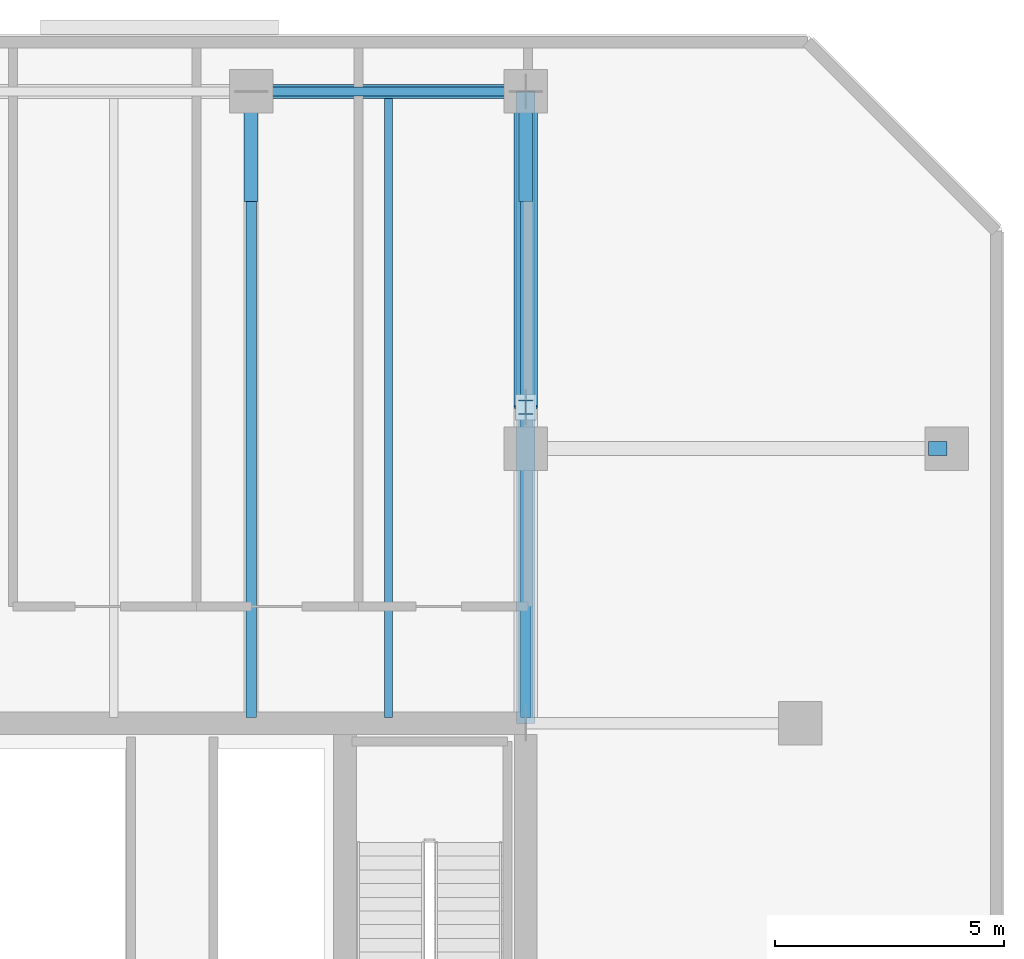
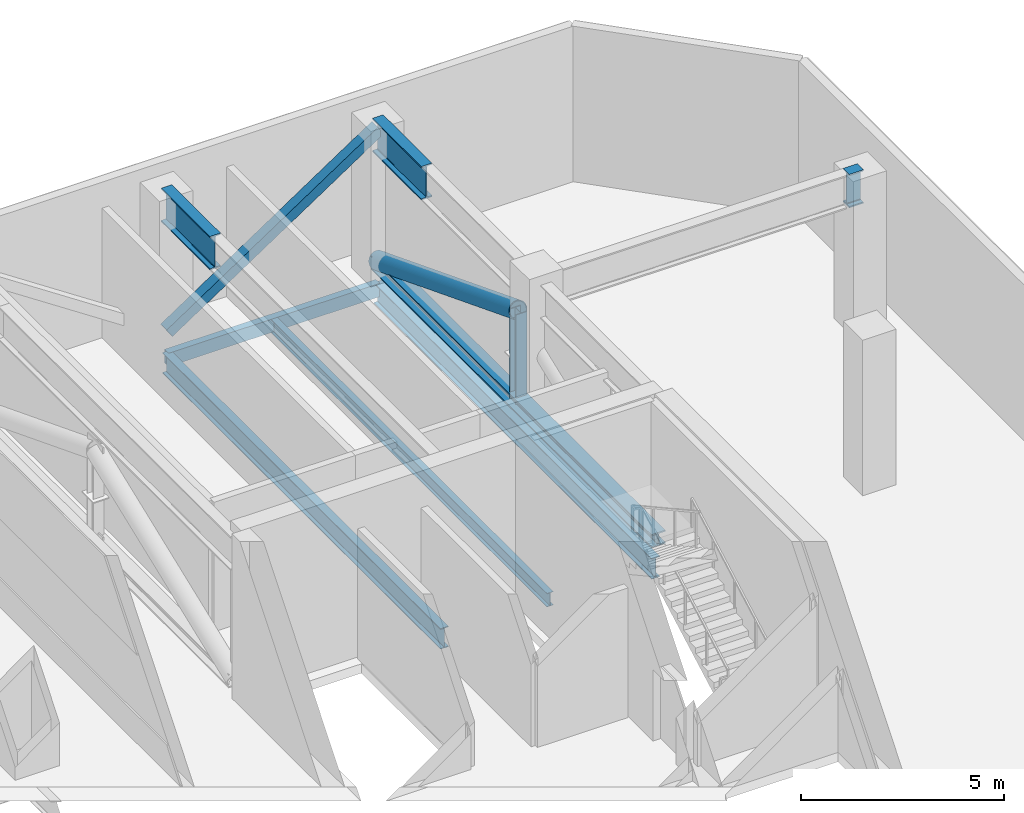
# One storey, part 8 of 21: 7 beams, 4 members.
"""IFC4 building model written with IfcOpenShell, lengths in metres."""

from ifc_helpers import new_model, si_unit, direction, frame, origin, origin_2d, place, context, subcontext, project, spatial, hollow_rectangle, hollow_circle, i_section, extrude, material, material_profile, profile_set, type_object, element, save


model = new_model("IFC4")

# Units and contexts
model_context = context("Model", 3, precision=1e-05, world=origin(), true_north=direction((0.0, 1.0)))
body_context = subcontext(model_context, "Body", "Model", "MODEL_VIEW")
ifc_project = project(units=[si_unit("LENGTHUNIT", "METRE"), si_unit("AREAUNIT", "SQUARE_METRE"), si_unit("VOLUMEUNIT", "CUBIC_METRE"), si_unit("PLANEANGLEUNIT", "RADIAN"), si_unit("MASSUNIT", "GRAM", prefix="KILO")], contexts=[model_context])

# Site, building, storey
site_placement = place(None, origin())
site = spatial("IfcSite", under=ifc_project, at=site_placement, CompositionType="ELEMENT")
building_placement = place(site_placement, origin())
building = spatial("IfcBuilding", under=site, at=building_placement, Name="Tanjung Sevakor Pilgrim Tower", CompositionType="ELEMENT")
storey_placement = place(building_placement, frame((0.0, 0.0, 123.090087890625)))
storey = spatial("IfcBuildingStorey", under=building, at=storey_placement, Name="L34", CompositionType="ELEMENT", Elevation=123.090087890625)

# Beams
ifc_material_1 = material(Name="Steel S355J2", Category="steel")
ifc_material_profile_1 = material_profile(ifc_material_1, i_section(OverallWidth=0.230224609375, OverallDepth=0.6171875, WebThickness=0.01318359375, FlangeThickness=0.022216796875, FilletRadius=0.0126953125, at=origin_2d()))
ifc_profile_set_1 = profile_set([ifc_material_profile_1], Name="Steel S355J2")
beam_type_1 = type_object("IfcBeamType", Name="BM-B-G3-UB_610x229x140", PredefinedType="BEAM", material=ifc_profile_set_1)
for number, where, z_axis, x_axis, name in (
    (1, (84.0, 42.727294921875, -0.588623046875), (0.0, 1.0, 0.0), (-1.0, 0.0, 0.0), "L34 MAIN Girder 042"),
    (2, (90.0, 42.727294921875, -0.588623046875), (0.0, 1.0, 0.0), (-1.0, 0.0, 0.0), "L34 MAIN Girder 046"),
):
    element("IfcBeam", number, at=place(storey_placement, frame(where, z_axis=z_axis, x_axis=x_axis)), inside=storey, type_object=beam_type_1, Name=name, PredefinedType="BEAM", context=body_context, shape_type="SweptSolid", body=[
        extrude(i_section(OverallWidth=0.230224609375, OverallDepth=0.6171875, WebThickness=0.01318359375, FlangeThickness=0.022216796875, FilletRadius=0.0126953125, at=origin_2d()), origin(), (0.0, 0.0, 1.0), 13.672607421875),
    ])
ifc_material_2 = material(Name="Steel S460M", Category="steel")
ifc_material_profile_2 = material_profile(ifc_material_2, i_section(OverallWidth=0.302001953125, OverallDepth=1.008056640625, WebThickness=0.02099609375, FlangeThickness=0.0400390625, FilletRadius=0.030029296875, at=origin_2d()))
ifc_profile_set_2 = profile_set([ifc_material_profile_2], Name="Steel S460M")
beam_type_2 = type_object("IfcBeamType", Name="BM-B-G7-HE_1000M", PredefinedType="BEAM", material=ifc_profile_set_2)
beam_1_placement = place(storey_placement, frame((98.800048828125, 48.60009765625, 4.166015625), z_axis=(1.0, 0.0, 0.0), x_axis=(0.0, 1.0, 0.0)))
element("IfcBeam", 3, at=beam_1_placement, inside=storey, type_object=beam_type_2, Name="L34 Short-End Setback Transfer Girder E Y48.6-2", PredefinedType="BEAM", context=body_context, shape_type="SweptSolid", body=[
    extrude(i_section(OverallWidth=0.302001953125, OverallDepth=1.008056640625, WebThickness=0.02099609375, FlangeThickness=0.0400390625, FilletRadius=0.030029296875, at=origin_2d()), origin(), (0.0, 0.0, 1.0), 0.39990234375),
])
for number, where, z_axis, x_axis, name in (
    (4, (84.0, 54.0, 4.166015625), (0.0, 1.0, 0.0), (-1.0, 0.0, 0.0), "L34 Setback Transfer Girder North X84-2"),
    (5, (90.0, 54.0, 4.166015625), (0.0, 1.0, 0.0), (-1.0, 0.0, 0.0), "L34 Setback Transfer Girder North X90-2"),
):
    element("IfcBeam", number, at=place(storey_placement, frame(where, z_axis=z_axis, x_axis=x_axis)), inside=storey, type_object=beam_type_2, Name=name, PredefinedType="BEAM", context=body_context, shape_type="SweptSolid", body=[
        extrude(i_section(OverallWidth=0.302001953125, OverallDepth=1.008056640625, WebThickness=0.02099609375, FlangeThickness=0.0400390625, FilletRadius=0.030029296875, at=origin_2d()), origin(), (0.0, 0.0, 1.0), 2.39990234375),
    ])
ifc_material_3 = material(Name="Steel S355J2", Category="steel")
ifc_material_profile_3 = material_profile(ifc_material_3, i_section(OverallWidth=0.1787109375, OverallDepth=0.409423828125, WebThickness=0.0087890625, FlangeThickness=0.014404296875, FilletRadius=0.01025390625, at=origin_2d()))
ifc_profile_set_3 = profile_set([ifc_material_profile_3], Name="Steel S355J2")
beam_type_3 = type_object("IfcBeamType", Name="BM-B-J3-UB_406x178x67", PredefinedType="JOIST", material=ifc_profile_set_3)
beam_2_placement = place(storey_placement, frame((87.0, 42.727294921875, -0.48486328125), z_axis=(0.0, 1.0, 0.0), x_axis=(-1.0, 0.0, 0.0)))
element("IfcBeam", 6, at=beam_2_placement, inside=storey, type_object=beam_type_3, Name="L34 MAIN Joist 044", PredefinedType="JOIST", context=body_context, shape_type="SweptSolid", body=[
    extrude(i_section(OverallWidth=0.1787109375, OverallDepth=0.409423828125, WebThickness=0.0087890625, FlangeThickness=0.014404296875, FilletRadius=0.01025390625, at=origin_2d()), origin(), (0.0, 0.0, 1.0), 13.57275390625),
])
ifc_material_4 = material(Name="Steel S355J2", Category="steel")
ifc_material_profile_4 = material_profile(ifc_material_4, hollow_rectangle(XDim=0.199951171875, YDim=0.39990234375, WallThickness=0.01611328125, at=origin_2d()))
ifc_profile_set_4 = profile_set([ifc_material_profile_4], Name="Steel S355J2")
beam_type_4 = type_object("IfcBeamType", Name="BM-B-SP2-RHS_400x200x16", PredefinedType="SPANDREL", material=ifc_profile_set_4)
beam_3_placement = place(storey_placement, frame((84.0, 56.39990234375, -0.47998046875), z_axis=(1.0, 0.0, 0.0), x_axis=(0.0, 1.0, 0.0)))
element("IfcBeam", 7, at=beam_3_placement, inside=storey, type_object=beam_type_4, Name="L34 Spandrel MAIN N-18", PredefinedType="SPANDREL", context=body_context, shape_type="SweptSolid", body=[
    extrude(hollow_rectangle(XDim=0.199951171875, YDim=0.39990234375, WallThickness=0.01611328125, at=origin_2d()), origin(), (0.0, 0.0, 1.0), 6.0),
])

# Members
ifc_material_5 = material(Name="Steel S460M", Category="steel")
ifc_material_profile_5 = material_profile(ifc_material_5, hollow_circle(Radius=0.25390625, WallThickness=0.02490234375, at=origin_2d()))
ifc_profile_set_5 = profile_set([ifc_material_profile_5], Name="Steel S460M")
member_type_1 = type_object("IfcMemberType", Name="MEM-M-BR3-CHS_508x25", PredefinedType="BRACE", material=ifc_profile_set_5)
member_1_placement = place(storey_placement, frame((90.0, 49.5, 3.039794921875), z_axis=(0.0, 0.93170119451, -0.363225665597), x_axis=(-1.0, 0.0, 0.0)))
element("IfcMember", 8, at=member_1_placement, inside=storey, type_object=member_type_1, Name="OT-2 L34 Outrigger Truss Diagonal 2 X90 N", PredefinedType="BRACE", context=body_context, shape_type="SweptSolid", body=[
    extrude(hollow_circle(Radius=0.25390625, WallThickness=0.02490234375, at=origin_2d()), origin(), (0.0, 0.0, 1.0), 7.40576171875),
])
ifc_material_6 = material(Name="Steel S460M", Category="steel")
ifc_material_profile_6 = material_profile(ifc_material_6, hollow_rectangle(XDim=0.300048828125, YDim=0.300048828125, WallThickness=0.01611328125, at=origin_2d()))
ifc_profile_set_6 = profile_set([ifc_material_profile_6], Name="Steel S460M")
member_type_2 = type_object("IfcMemberType", Name="MEM-M-BR8-SHS_300x300x16", PredefinedType="BRACE", material=ifc_profile_set_6)
member_2_placement = place(storey_placement, frame((84.0, 56.39990234375, 0.349853515625), z_axis=(0.832940851568, 0.0, 0.553362031395), x_axis=(0.0, 1.0, 0.0)))
element("IfcMember", 9, at=member_2_placement, inside=storey, type_object=member_type_2, Name="BT-1 L34 Belt Truss Diagonal Brace N-07", PredefinedType="BRACE", context=body_context, shape_type="SweptSolid", body=[
    extrude(hollow_rectangle(XDim=0.300048828125, YDim=0.300048828125, WallThickness=0.01611328125, at=origin_2d()), origin(), (0.0, 0.0, 1.0), 7.203369140625),
])
ifc_material_7 = material(Name="Steel S460M", Category="steel")
ifc_material_profile_7 = material_profile(ifc_material_7, i_section(OverallWidth=0.39892578125, OverallDepth=0.3935546875, WebThickness=0.022705078125, FlangeThickness=0.03662109375, FilletRadius=0.01513671875, at=origin_2d()))
ifc_profile_set_7 = profile_set([ifc_material_profile_7], Name="Steel S460M")
member_type_3 = type_object("IfcMemberType", Name="MEM-M-CH3-UC_356x406x287", PredefinedType="CHORD", material=ifc_profile_set_7)
member_3_placement = place(storey_placement, frame((90.0, 42.60009765625, 0.349853515625), z_axis=(0.0, 1.0, 0.0), x_axis=(-1.0, 0.0, 0.0)))
element("IfcMember", 10, at=member_3_placement, inside=storey, type_object=member_type_3, Name="OT-1 L34 Outrigger Truss Chord X90 N", PredefinedType="CHORD", context=body_context, shape_type="SweptSolid", body=[
    extrude(i_section(OverallWidth=0.39892578125, OverallDepth=0.3935546875, WebThickness=0.022705078125, FlangeThickness=0.03662109375, FilletRadius=0.01513671875, at=origin_2d()), origin(), (0.0, 0.0, 1.0), 13.7998046875),
])
ifc_material_8 = material(Name="Steel S460M", Category="steel")
ifc_material_profile_8 = material_profile(ifc_material_8, i_section(OverallWidth=0.30908203125, OverallDepth=0.320556640625, WebThickness=0.013916015625, FlangeThickness=0.021728515625, FilletRadius=0.01513671875, at=origin_2d()))
ifc_profile_set_8 = profile_set([ifc_material_profile_8], Name="Steel S460M")
member_type_4 = type_object("IfcMemberType", Name="MEM-M-ST3-UC_305x305x137", PredefinedType="STRUT", material=ifc_profile_set_8)
member_4_placement = place(storey_placement, frame((90.0, 49.5, 0.349853515625), z_axis=(0.0, 0.0, 1.0), x_axis=(1.0, 0.0, 0.0)))
element("IfcMember", 11, at=member_4_placement, inside=storey, type_object=member_type_4, Name="OT-3 L34 Outrigger Truss Strut X90 N", PredefinedType="STRUT", context=body_context, shape_type="SweptSolid", body=[
    extrude(i_section(OverallWidth=0.30908203125, OverallDepth=0.320556640625, WebThickness=0.013916015625, FlangeThickness=0.021728515625, FilletRadius=0.01513671875, at=origin_2d()), origin(), (0.0, 0.0, 1.0), 2.68994140625),
])

save(model, "model.ifc")
